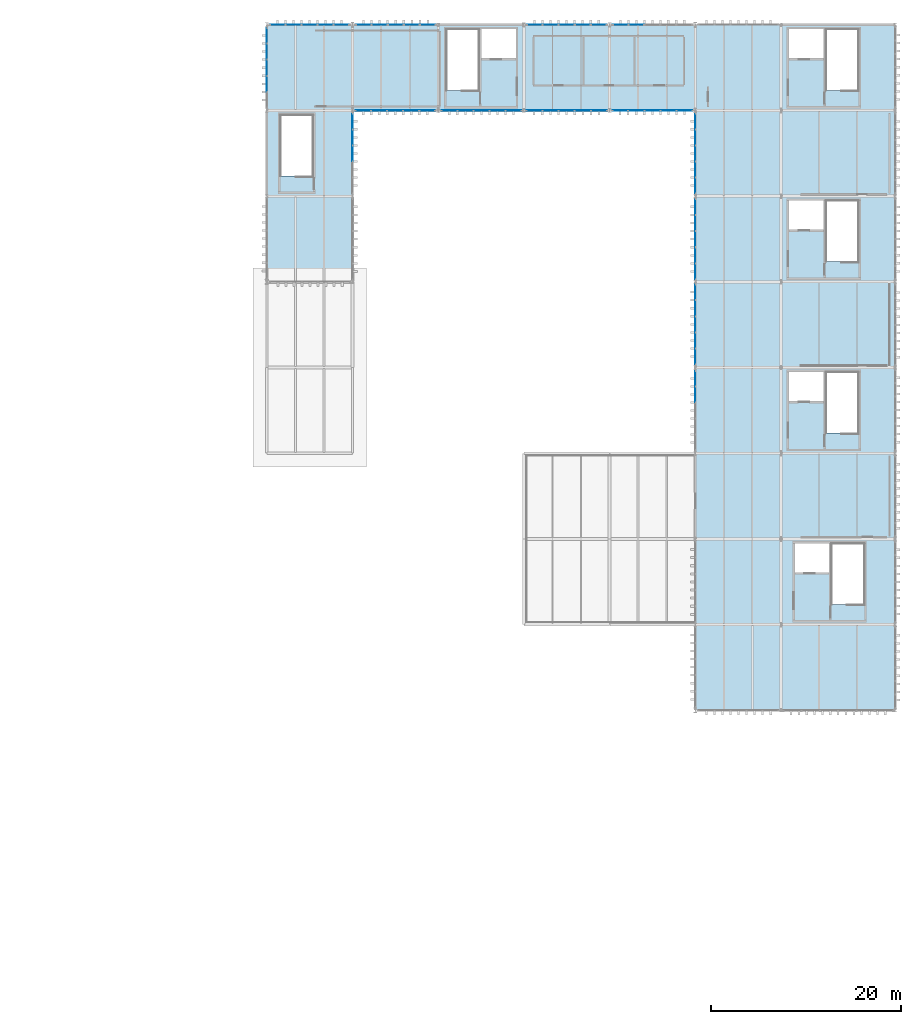
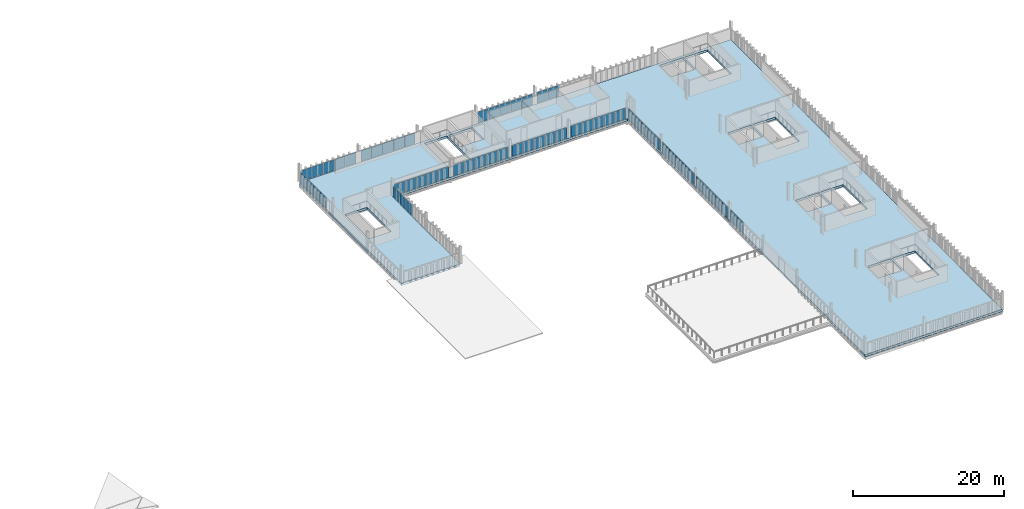
# One storey, part 50 of 58: 61 plates, 1 slab, 14 elements without a shape of their own.
"""IFC4 building model written with IfcOpenShell, lengths in metres."""

from ifc_helpers import new_model, si_unit, direction, frame, origin, origin_2d, place, context, subcontext, project, spatial, polyline, rectangle, outline, extrude, material, layer, layer_set, type_object, element, aggregate, save


model = new_model("IFC4")

# Units and contexts
model_context = context("Model", 3, precision=1e-05, world=origin(), true_north=direction((0.0, 1.0)))
body_context = subcontext(model_context, "Body", "Model", "MODEL_VIEW")
ifc_project = project(units=[si_unit("LENGTHUNIT", "METRE"), si_unit("AREAUNIT", "SQUARE_METRE"), si_unit("VOLUMEUNIT", "CUBIC_METRE"), si_unit("PLANEANGLEUNIT", "RADIAN"), si_unit("MASSUNIT", "GRAM", prefix="KILO")], contexts=[model_context])

# Site, building, storey
site_placement = place(None, origin())
site = spatial("IfcSite", under=ifc_project, at=site_placement, CompositionType="ELEMENT")
building_placement = place(site_placement, origin())
building = spatial("IfcBuilding", under=site, at=building_placement, Name="Barlavento Convention Centre", CompositionType="ELEMENT")
storey_placement = place(building_placement, frame((0.0, 0.0, 26.800048828125)))
storey = spatial("IfcBuildingStorey", under=building, at=storey_placement, Name="L05", CompositionType="ELEMENT", Elevation=26.800048828125)

# Curtain wall, plates
ifc_material_1 = material(Name="Powder-coated aluminium and Low-E glass", Category="aluminium")
ifc_layer_1 = layer(ifc_material_1, 0.18994140625)
ifc_layer_set_1 = layer_set([ifc_layer_1], Name="ARC-CW-CONF-L05")
curtain_wall_type = type_object("IfcCurtainWallType", Name="ARC-CW-CONF-L05", PredefinedType="NOTDEFINED", material=ifc_layer_set_1)
curtain_wall_1_placement = place(storey_placement, origin())
curtain_wall_1 = element("IfcCurtainWall", 1, at=curtain_wall_1_placement, inside=storey, type_object=curtain_wall_type, Name="L05 unitised curtain wall CW10", PredefinedType="NOTDEFINED")
ifc_material_2 = material(Name="Double-silver Low-E insulated glass", Category="glass")
ifc_layer_2 = layer(ifc_material_2, 0.028076171875)
ifc_layer_set_2 = layer_set([ifc_layer_2], Name="ARC-CWP-GLZ28")
plate_type = type_object("IfcPlateType", Name="ARC-CWP-GLZ28", PredefinedType="CURTAIN_PANEL", material=ifc_layer_set_2)
plate_1_placement = place(storey_placement, frame((171.0, 60.16845703125, 0.06005859375), z_axis=(0.0, 0.0, 1.0), x_axis=(0.0, 1.0, 0.0)))
plate_1 = element("IfcPlate", 2, at=plate_1_placement, type_object=plate_type, Name="CW10 panel 4.1", PredefinedType="CURTAIN_PANEL", context=body_context, shape_type="SweptSolid", body=[
    extrude(rectangle(XDim=1.62109375, YDim=0.028076171875, at=origin_2d()), origin(), (0.0, 0.0, 1.0), 1.780029296875),
])
plate_2_placement = place(storey_placement, frame((171.0, 61.83447265625, 0.06005859375), z_axis=(0.0, 0.0, 1.0), x_axis=(0.0, 1.0, 0.0)))
plate_2 = element("IfcPlate", 3, at=plate_2_placement, type_object=plate_type, Name="CW10 panel 5.1", PredefinedType="CURTAIN_PANEL", context=body_context, shape_type="SweptSolid", body=[
    extrude(rectangle(XDim=1.591064453125, YDim=0.028076171875, at=origin_2d()), origin(), (0.0, 0.0, 1.0), 1.780029296875),
])
aggregate(curtain_wall_1, [plate_1, plate_2])

curtain_wall_2_placement = place(storey_placement, origin())
curtain_wall_2 = element("IfcCurtainWall", 4, at=curtain_wall_2_placement, inside=storey, type_object=curtain_wall_type, Name="L05 unitised curtain wall CW10", PredefinedType="NOTDEFINED")
plate_3_placement = place(storey_placement, frame((171.0, 64.1708984375, 0.06005859375), z_axis=(0.0, 0.0, 1.0), x_axis=(0.0, 1.0, 0.0)))
plate_3 = element("IfcPlate", 5, at=plate_3_placement, type_object=plate_type, Name="CW10 panel 1.1", PredefinedType="CURTAIN_PANEL", context=body_context, shape_type="SweptSolid", body=[
    extrude(rectangle(XDim=1.60205078125, YDim=0.028076171875, at=origin_2d()), origin(), (0.0, 0.0, 1.0), 1.780029296875),
])
plate_4_placement = place(storey_placement, frame((171.0, 65.847900390625, 0.06005859375), z_axis=(0.0, 0.0, 1.0), x_axis=(0.0, 1.0, 0.0)))
plate_4 = element("IfcPlate", 6, at=plate_4_placement, type_object=plate_type, Name="CW10 panel 2.1", PredefinedType="CURTAIN_PANEL", context=body_context, shape_type="SweptSolid", body=[
    extrude(rectangle(XDim=1.632080078125, YDim=0.028076171875, at=origin_2d()), origin(), (0.0, 0.0, 1.0), 1.780029296875),
])
plate_5_placement = place(storey_placement, frame((171.0, 67.5400390625, 0.06005859375), z_axis=(0.0, 0.0, 1.0), x_axis=(0.0, 1.0, 0.0)))
plate_5 = element("IfcPlate", 7, at=plate_5_placement, type_object=plate_type, Name="CW10 panel 3.1", PredefinedType="CURTAIN_PANEL", context=body_context, shape_type="SweptSolid", body=[
    extrude(rectangle(XDim=1.632080078125, YDim=0.028076171875, at=origin_2d()), origin(), (0.0, 0.0, 1.0), 1.780029296875),
])
plate_6_placement = place(storey_placement, frame((171.0, 69.23193359375, 0.06005859375), z_axis=(0.0, 0.0, 1.0), x_axis=(0.0, 1.0, 0.0)))
plate_6 = element("IfcPlate", 8, at=plate_6_placement, type_object=plate_type, Name="CW10 panel 4.1", PredefinedType="CURTAIN_PANEL", context=body_context, shape_type="SweptSolid", body=[
    extrude(rectangle(XDim=1.632080078125, YDim=0.028076171875, at=origin_2d()), origin(), (0.0, 0.0, 1.0), 1.780029296875),
])
plate_7_placement = place(storey_placement, frame((171.0, 70.908935546875, 0.06005859375), z_axis=(0.0, 0.0, 1.0), x_axis=(0.0, 1.0, 0.0)))
plate_7 = element("IfcPlate", 9, at=plate_7_placement, type_object=plate_type, Name="CW10 panel 5.1", PredefinedType="CURTAIN_PANEL", context=body_context, shape_type="SweptSolid", body=[
    extrude(rectangle(XDim=1.60205078125, YDim=0.028076171875, at=origin_2d()), origin(), (0.0, 0.0, 1.0), 1.780029296875),
])
aggregate(curtain_wall_2, [plate_3, plate_4, plate_5, plate_6, plate_7])

curtain_wall_3_placement = place(storey_placement, origin())
curtain_wall_3 = element("IfcCurtainWall", 10, at=curtain_wall_3_placement, inside=storey, type_object=curtain_wall_type, Name="L05 unitised curtain wall CW10", PredefinedType="NOTDEFINED")
plate_8_placement = place(storey_placement, frame((171.0, 73.095947265625, 0.06005859375), z_axis=(0.0, 0.0, 1.0), x_axis=(0.0, 1.0, 0.0)))
plate_8 = element("IfcPlate", 11, at=plate_8_placement, type_object=plate_type, Name="CW10 panel 1.1", PredefinedType="CURTAIN_PANEL", context=body_context, shape_type="SweptSolid", body=[
    extrude(rectangle(XDim=1.612060546875, YDim=0.028076171875, at=origin_2d()), origin(), (0.0, 0.0, 1.0), 1.780029296875),
])
plate_9_placement = place(storey_placement, frame((171.0, 74.782958984375, 0.06005859375), z_axis=(0.0, 0.0, 1.0), x_axis=(0.0, 1.0, 0.0)))
plate_9 = element("IfcPlate", 12, at=plate_9_placement, type_object=plate_type, Name="CW10 panel 2.1", PredefinedType="CURTAIN_PANEL", context=body_context, shape_type="SweptSolid", body=[
    extrude(rectangle(XDim=1.64208984375, YDim=0.028076171875, at=origin_2d()), origin(), (0.0, 0.0, 1.0), 1.780029296875),
])
plate_10_placement = place(storey_placement, frame((171.0, 76.485107421875, 0.06005859375), z_axis=(0.0, 0.0, 1.0), x_axis=(0.0, 1.0, 0.0)))
plate_10 = element("IfcPlate", 13, at=plate_10_placement, type_object=plate_type, Name="CW10 panel 3.1", PredefinedType="CURTAIN_PANEL", context=body_context, shape_type="SweptSolid", body=[
    extrude(rectangle(XDim=1.64208984375, YDim=0.028076171875, at=origin_2d()), origin(), (0.0, 0.0, 1.0), 1.780029296875),
])
plate_11_placement = place(storey_placement, frame((171.0, 78.18701171875, 0.06005859375), z_axis=(0.0, 0.0, 1.0), x_axis=(0.0, 1.0, 0.0)))
plate_11 = element("IfcPlate", 14, at=plate_11_placement, type_object=plate_type, Name="CW10 panel 4.1", PredefinedType="CURTAIN_PANEL", context=body_context, shape_type="SweptSolid", body=[
    extrude(rectangle(XDim=1.64208984375, YDim=0.028076171875, at=origin_2d()), origin(), (0.0, 0.0, 1.0), 1.780029296875),
])
plate_12_placement = place(storey_placement, frame((171.0, 79.8740234375, 0.06005859375), z_axis=(0.0, 0.0, 1.0), x_axis=(0.0, 1.0, 0.0)))
plate_12 = element("IfcPlate", 15, at=plate_12_placement, type_object=plate_type, Name="CW10 panel 5.1", PredefinedType="CURTAIN_PANEL", context=body_context, shape_type="SweptSolid", body=[
    extrude(rectangle(XDim=1.612060546875, YDim=0.028076171875, at=origin_2d()), origin(), (0.0, 0.0, 1.0), 1.780029296875),
])
aggregate(curtain_wall_3, [plate_8, plate_9, plate_10, plate_11, plate_12])

curtain_wall_4_placement = place(storey_placement, origin())
curtain_wall_4 = element("IfcCurtainWall", 16, at=curtain_wall_4_placement, inside=storey, type_object=curtain_wall_type, Name="L05 unitised curtain wall CW10", PredefinedType="NOTDEFINED")
plate_13_placement = place(storey_placement, frame((171.0, 82.12060546875, 0.06005859375), z_axis=(0.0, 0.0, 1.0), x_axis=(0.0, 1.0, 0.0)))
plate_13 = element("IfcPlate", 17, at=plate_13_placement, type_object=plate_type, Name="CW10 panel 1.1", PredefinedType="CURTAIN_PANEL", context=body_context, shape_type="SweptSolid", body=[
    extrude(rectangle(XDim=1.60107421875, YDim=0.028076171875, at=origin_2d()), origin(), (0.0, 0.0, 1.0), 1.780029296875),
])
plate_14_placement = place(storey_placement, frame((171.0, 83.79638671875, 0.06005859375), z_axis=(0.0, 0.0, 1.0), x_axis=(0.0, 1.0, 0.0)))
plate_14 = element("IfcPlate", 18, at=plate_14_placement, type_object=plate_type, Name="CW10 panel 2.1", PredefinedType="CURTAIN_PANEL", context=body_context, shape_type="SweptSolid", body=[
    extrude(rectangle(XDim=1.631103515625, YDim=0.028076171875, at=origin_2d()), origin(), (0.0, 0.0, 1.0), 1.780029296875),
])
plate_15_placement = place(storey_placement, frame((171.0, 85.487548828125, 0.06005859375), z_axis=(0.0, 0.0, 1.0), x_axis=(0.0, 1.0, 0.0)))
plate_15 = element("IfcPlate", 19, at=plate_15_placement, type_object=plate_type, Name="CW10 panel 3.1", PredefinedType="CURTAIN_PANEL", context=body_context, shape_type="SweptSolid", body=[
    extrude(rectangle(XDim=1.631103515625, YDim=0.028076171875, at=origin_2d()), origin(), (0.0, 0.0, 1.0), 1.780029296875),
])
plate_16_placement = place(storey_placement, frame((171.0, 87.178466796875, 0.06005859375), z_axis=(0.0, 0.0, 1.0), x_axis=(0.0, 1.0, 0.0)))
plate_16 = element("IfcPlate", 20, at=plate_16_placement, type_object=plate_type, Name="CW10 panel 4.1", PredefinedType="CURTAIN_PANEL", context=body_context, shape_type="SweptSolid", body=[
    extrude(rectangle(XDim=1.631103515625, YDim=0.028076171875, at=origin_2d()), origin(), (0.0, 0.0, 1.0), 1.780029296875),
])
plate_17_placement = place(storey_placement, frame((171.0, 88.8544921875, 0.06005859375), z_axis=(0.0, 0.0, 1.0), x_axis=(0.0, 1.0, 0.0)))
plate_17 = element("IfcPlate", 21, at=plate_17_placement, type_object=plate_type, Name="CW10 panel 5.1", PredefinedType="CURTAIN_PANEL", context=body_context, shape_type="SweptSolid", body=[
    extrude(rectangle(XDim=1.60107421875, YDim=0.028076171875, at=origin_2d()), origin(), (0.0, 0.0, 1.0), 1.780029296875),
])
aggregate(curtain_wall_4, [plate_13, plate_14, plate_15, plate_16, plate_17])

curtain_wall_5_placement = place(storey_placement, origin())
curtain_wall_5 = element("IfcCurtainWall", 22, at=curtain_wall_5_placement, inside=storey, type_object=curtain_wall_type, Name="L05 unitised curtain wall CW10", PredefinedType="NOTDEFINED")
plate_18_placement = place(storey_placement, frame((136.140380859375, 90.0, 0.06005859375), z_axis=(0.0, 0.0, 1.0), x_axis=(1.0, 0.0, 0.0)))
plate_18 = element("IfcPlate", 23, at=plate_18_placement, type_object=plate_type, Name="CW10 panel 1.1", PredefinedType="CURTAIN_PANEL", context=body_context, shape_type="SweptSolid", body=[
    extrude(rectangle(XDim=1.591064453125, YDim=0.028076171875, at=origin_2d()), origin(), (0.0, 0.0, 1.0), 1.780029296875),
])
plate_19_placement = place(storey_placement, frame((137.806396484375, 90.0, 0.06005859375), z_axis=(0.0, 0.0, 1.0), x_axis=(1.0, 0.0, 0.0)))
plate_19 = element("IfcPlate", 24, at=plate_19_placement, type_object=plate_type, Name="CW10 panel 2.1", PredefinedType="CURTAIN_PANEL", context=body_context, shape_type="SweptSolid", body=[
    extrude(rectangle(XDim=1.62109375, YDim=0.028076171875, at=origin_2d()), origin(), (0.0, 0.0, 1.0), 1.780029296875),
])
plate_20_placement = place(storey_placement, frame((139.487548828125, 90.0, 0.06005859375), z_axis=(0.0, 0.0, 1.0), x_axis=(1.0, 0.0, 0.0)))
plate_20 = element("IfcPlate", 25, at=plate_20_placement, type_object=plate_type, Name="CW10 panel 3.1", PredefinedType="CURTAIN_PANEL", context=body_context, shape_type="SweptSolid", body=[
    extrude(rectangle(XDim=1.62109375, YDim=0.028076171875, at=origin_2d()), origin(), (0.0, 0.0, 1.0), 1.780029296875),
])
plate_21_placement = place(storey_placement, frame((141.16845703125, 90.0, 0.06005859375), z_axis=(0.0, 0.0, 1.0), x_axis=(1.0, 0.0, 0.0)))
plate_21 = element("IfcPlate", 26, at=plate_21_placement, type_object=plate_type, Name="CW10 panel 4.1", PredefinedType="CURTAIN_PANEL", context=body_context, shape_type="SweptSolid", body=[
    extrude(rectangle(XDim=1.62109375, YDim=0.028076171875, at=origin_2d()), origin(), (0.0, 0.0, 1.0), 1.780029296875),
])
plate_22_placement = place(storey_placement, frame((142.83447265625, 90.0, 0.06005859375), z_axis=(0.0, 0.0, 1.0), x_axis=(1.0, 0.0, 0.0)))
plate_22 = element("IfcPlate", 27, at=plate_22_placement, type_object=plate_type, Name="CW10 panel 5.1", PredefinedType="CURTAIN_PANEL", context=body_context, shape_type="SweptSolid", body=[
    extrude(rectangle(XDim=1.591064453125, YDim=0.028076171875, at=origin_2d()), origin(), (0.0, 0.0, 1.0), 1.780029296875),
])
aggregate(curtain_wall_5, [plate_18, plate_19, plate_20, plate_21, plate_22])

curtain_wall_6_placement = place(storey_placement, origin())
curtain_wall_6 = element("IfcCurtainWall", 28, at=curtain_wall_6_placement, inside=storey, type_object=curtain_wall_type, Name="L05 unitised curtain wall CW10", PredefinedType="NOTDEFINED")
plate_23_placement = place(storey_placement, frame((145.1708984375, 90.0, 0.06005859375), z_axis=(0.0, 0.0, 1.0), x_axis=(1.0, 0.0, 0.0)))
plate_23 = element("IfcPlate", 29, at=plate_23_placement, type_object=plate_type, Name="CW10 panel 1.1", PredefinedType="CURTAIN_PANEL", context=body_context, shape_type="SweptSolid", body=[
    extrude(rectangle(XDim=1.60205078125, YDim=0.028076171875, at=origin_2d()), origin(), (0.0, 0.0, 1.0), 1.780029296875),
])
plate_24_placement = place(storey_placement, frame((146.847900390625, 90.0, 0.06005859375), z_axis=(0.0, 0.0, 1.0), x_axis=(1.0, 0.0, 0.0)))
plate_24 = element("IfcPlate", 30, at=plate_24_placement, type_object=plate_type, Name="CW10 panel 2.1", PredefinedType="CURTAIN_PANEL", context=body_context, shape_type="SweptSolid", body=[
    extrude(rectangle(XDim=1.632080078125, YDim=0.028076171875, at=origin_2d()), origin(), (0.0, 0.0, 1.0), 1.780029296875),
])
plate_25_placement = place(storey_placement, frame((148.5400390625, 90.0, 0.06005859375), z_axis=(0.0, 0.0, 1.0), x_axis=(1.0, 0.0, 0.0)))
plate_25 = element("IfcPlate", 31, at=plate_25_placement, type_object=plate_type, Name="CW10 panel 3.1", PredefinedType="CURTAIN_PANEL", context=body_context, shape_type="SweptSolid", body=[
    extrude(rectangle(XDim=1.632080078125, YDim=0.028076171875, at=origin_2d()), origin(), (0.0, 0.0, 1.0), 1.780029296875),
])
plate_26_placement = place(storey_placement, frame((150.23193359375, 90.0, 0.06005859375), z_axis=(0.0, 0.0, 1.0), x_axis=(1.0, 0.0, 0.0)))
plate_26 = element("IfcPlate", 32, at=plate_26_placement, type_object=plate_type, Name="CW10 panel 4.1", PredefinedType="CURTAIN_PANEL", context=body_context, shape_type="SweptSolid", body=[
    extrude(rectangle(XDim=1.632080078125, YDim=0.028076171875, at=origin_2d()), origin(), (0.0, 0.0, 1.0), 1.780029296875),
])
plate_27_placement = place(storey_placement, frame((151.908935546875, 90.0, 0.06005859375), z_axis=(0.0, 0.0, 1.0), x_axis=(1.0, 0.0, 0.0)))
plate_27 = element("IfcPlate", 33, at=plate_27_placement, type_object=plate_type, Name="CW10 panel 5.1", PredefinedType="CURTAIN_PANEL", context=body_context, shape_type="SweptSolid", body=[
    extrude(rectangle(XDim=1.60205078125, YDim=0.028076171875, at=origin_2d()), origin(), (0.0, 0.0, 1.0), 1.780029296875),
])
aggregate(curtain_wall_6, [plate_23, plate_24, plate_25, plate_26, plate_27])

curtain_wall_7_placement = place(storey_placement, origin())
curtain_wall_7 = element("IfcCurtainWall", 34, at=curtain_wall_7_placement, inside=storey, type_object=curtain_wall_type, Name="L05 unitised curtain wall CW10", PredefinedType="NOTDEFINED")
plate_28_placement = place(storey_placement, frame((154.095947265625, 90.0, 0.06005859375), z_axis=(0.0, 0.0, 1.0), x_axis=(1.0, 0.0, 0.0)))
plate_28 = element("IfcPlate", 35, at=plate_28_placement, type_object=plate_type, Name="CW10 panel 1.1", PredefinedType="CURTAIN_PANEL", context=body_context, shape_type="SweptSolid", body=[
    extrude(rectangle(XDim=1.612060546875, YDim=0.028076171875, at=origin_2d()), origin(), (0.0, 0.0, 1.0), 1.780029296875),
])
plate_29_placement = place(storey_placement, frame((155.782958984375, 90.0, 0.06005859375), z_axis=(0.0, 0.0, 1.0), x_axis=(1.0, 0.0, 0.0)))
plate_29 = element("IfcPlate", 36, at=plate_29_placement, type_object=plate_type, Name="CW10 panel 2.1", PredefinedType="CURTAIN_PANEL", context=body_context, shape_type="SweptSolid", body=[
    extrude(rectangle(XDim=1.64208984375, YDim=0.028076171875, at=origin_2d()), origin(), (0.0, 0.0, 1.0), 1.780029296875),
])
plate_30_placement = place(storey_placement, frame((157.485107421875, 90.0, 0.06005859375), z_axis=(0.0, 0.0, 1.0), x_axis=(1.0, 0.0, 0.0)))
plate_30 = element("IfcPlate", 37, at=plate_30_placement, type_object=plate_type, Name="CW10 panel 3.1", PredefinedType="CURTAIN_PANEL", context=body_context, shape_type="SweptSolid", body=[
    extrude(rectangle(XDim=1.64208984375, YDim=0.028076171875, at=origin_2d()), origin(), (0.0, 0.0, 1.0), 1.780029296875),
])
plate_31_placement = place(storey_placement, frame((159.18701171875, 90.0, 0.06005859375), z_axis=(0.0, 0.0, 1.0), x_axis=(1.0, 0.0, 0.0)))
plate_31 = element("IfcPlate", 38, at=plate_31_placement, type_object=plate_type, Name="CW10 panel 4.1", PredefinedType="CURTAIN_PANEL", context=body_context, shape_type="SweptSolid", body=[
    extrude(rectangle(XDim=1.64208984375, YDim=0.028076171875, at=origin_2d()), origin(), (0.0, 0.0, 1.0), 1.780029296875),
])
plate_32_placement = place(storey_placement, frame((160.8740234375, 90.0, 0.06005859375), z_axis=(0.0, 0.0, 1.0), x_axis=(1.0, 0.0, 0.0)))
plate_32 = element("IfcPlate", 39, at=plate_32_placement, type_object=plate_type, Name="CW10 panel 5.1", PredefinedType="CURTAIN_PANEL", context=body_context, shape_type="SweptSolid", body=[
    extrude(rectangle(XDim=1.612060546875, YDim=0.028076171875, at=origin_2d()), origin(), (0.0, 0.0, 1.0), 1.780029296875),
])
aggregate(curtain_wall_7, [plate_28, plate_29, plate_30, plate_31, plate_32])

curtain_wall_8_placement = place(storey_placement, origin())
curtain_wall_8 = element("IfcCurtainWall", 40, at=curtain_wall_8_placement, inside=storey, type_object=curtain_wall_type, Name="L05 unitised curtain wall CW10", PredefinedType="NOTDEFINED")
plate_33_placement = place(storey_placement, frame((163.12060546875, 90.0, 0.06005859375), z_axis=(0.0, 0.0, 1.0), x_axis=(1.0, 0.0, 0.0)))
plate_33 = element("IfcPlate", 41, at=plate_33_placement, type_object=plate_type, Name="CW10 panel 1.1", PredefinedType="CURTAIN_PANEL", context=body_context, shape_type="SweptSolid", body=[
    extrude(rectangle(XDim=1.60107421875, YDim=0.028076171875, at=origin_2d()), origin(), (0.0, 0.0, 1.0), 1.780029296875),
])
plate_34_placement = place(storey_placement, frame((164.79638671875, 90.0, 0.06005859375), z_axis=(0.0, 0.0, 1.0), x_axis=(1.0, 0.0, 0.0)))
plate_34 = element("IfcPlate", 42, at=plate_34_placement, type_object=plate_type, Name="CW10 panel 2.1", PredefinedType="CURTAIN_PANEL", context=body_context, shape_type="SweptSolid", body=[
    extrude(rectangle(XDim=1.631103515625, YDim=0.028076171875, at=origin_2d()), origin(), (0.0, 0.0, 1.0), 1.780029296875),
])
plate_35_placement = place(storey_placement, frame((166.487548828125, 90.0, 0.06005859375), z_axis=(0.0, 0.0, 1.0), x_axis=(1.0, 0.0, 0.0)))
plate_35 = element("IfcPlate", 43, at=plate_35_placement, type_object=plate_type, Name="CW10 panel 3.1", PredefinedType="CURTAIN_PANEL", context=body_context, shape_type="SweptSolid", body=[
    extrude(rectangle(XDim=1.631103515625, YDim=0.028076171875, at=origin_2d()), origin(), (0.0, 0.0, 1.0), 1.780029296875),
])
plate_36_placement = place(storey_placement, frame((168.178466796875, 90.0, 0.06005859375), z_axis=(0.0, 0.0, 1.0), x_axis=(1.0, 0.0, 0.0)))
plate_36 = element("IfcPlate", 44, at=plate_36_placement, type_object=plate_type, Name="CW10 panel 4.1", PredefinedType="CURTAIN_PANEL", context=body_context, shape_type="SweptSolid", body=[
    extrude(rectangle(XDim=1.631103515625, YDim=0.028076171875, at=origin_2d()), origin(), (0.0, 0.0, 1.0), 1.780029296875),
])
plate_37_placement = place(storey_placement, frame((169.8544921875, 90.0, 0.06005859375), z_axis=(0.0, 0.0, 1.0), x_axis=(1.0, 0.0, 0.0)))
plate_37 = element("IfcPlate", 45, at=plate_37_placement, type_object=plate_type, Name="CW10 panel 5.1", PredefinedType="CURTAIN_PANEL", context=body_context, shape_type="SweptSolid", body=[
    extrude(rectangle(XDim=1.60107421875, YDim=0.028076171875, at=origin_2d()), origin(), (0.0, 0.0, 1.0), 1.780029296875),
])
aggregate(curtain_wall_8, [plate_33, plate_34, plate_35, plate_36, plate_37])

curtain_wall_9_placement = place(storey_placement, origin())
curtain_wall_9 = element("IfcCurtainWall", 46, at=curtain_wall_9_placement, inside=storey, type_object=curtain_wall_type, Name="L05 unitised curtain wall CW10", PredefinedType="NOTDEFINED")
plate_38_placement = place(storey_placement, frame((135.0, 85.487548828125, 0.06005859375), z_axis=(0.0, 0.0, 1.0), x_axis=(0.0, 1.0, 0.0)))
plate_38 = element("IfcPlate", 47, at=plate_38_placement, type_object=plate_type, Name="CW10 panel 3.1", PredefinedType="CURTAIN_PANEL", context=body_context, shape_type="SweptSolid", body=[
    extrude(rectangle(XDim=1.631103515625, YDim=0.028076171875, at=origin_2d()), origin(), (0.0, 0.0, 1.0), 1.780029296875),
])
plate_39_placement = place(storey_placement, frame((135.0, 87.178466796875, 0.06005859375), z_axis=(0.0, 0.0, 1.0), x_axis=(0.0, 1.0, 0.0)))
plate_39 = element("IfcPlate", 48, at=plate_39_placement, type_object=plate_type, Name="CW10 panel 4.1", PredefinedType="CURTAIN_PANEL", context=body_context, shape_type="SweptSolid", body=[
    extrude(rectangle(XDim=1.631103515625, YDim=0.028076171875, at=origin_2d()), origin(), (0.0, 0.0, 1.0), 1.780029296875),
])
plate_40_placement = place(storey_placement, frame((135.0, 88.8544921875, 0.06005859375), z_axis=(0.0, 0.0, 1.0), x_axis=(0.0, 1.0, 0.0)))
plate_40 = element("IfcPlate", 49, at=plate_40_placement, type_object=plate_type, Name="CW10 panel 5.1", PredefinedType="CURTAIN_PANEL", context=body_context, shape_type="SweptSolid", body=[
    extrude(rectangle(XDim=1.60107421875, YDim=0.028076171875, at=origin_2d()), origin(), (0.0, 0.0, 1.0), 1.780029296875),
])
aggregate(curtain_wall_9, [plate_38, plate_39, plate_40])

curtain_wall_10_placement = place(storey_placement, origin())
curtain_wall_10 = element("IfcCurtainWall", 50, at=curtain_wall_10_placement, inside=storey, type_object=curtain_wall_type, Name="L05 unitised curtain wall CW10", PredefinedType="NOTDEFINED")
plate_41_placement = place(storey_placement, frame((126.0, 92.79638671875, 0.06005859375), z_axis=(0.0, 0.0, 1.0), x_axis=(0.0, 1.0, 0.0)))
plate_41 = element("IfcPlate", 51, at=plate_41_placement, type_object=plate_type, Name="CW10 panel 2.1", PredefinedType="CURTAIN_PANEL", context=body_context, shape_type="SweptSolid", body=[
    extrude(rectangle(XDim=1.631103515625, YDim=0.028076171875, at=origin_2d()), origin(), (0.0, 0.0, 1.0), 1.780029296875),
])
plate_42_placement = place(storey_placement, frame((126.0, 94.487548828125, 0.06005859375), z_axis=(0.0, 0.0, 1.0), x_axis=(0.0, 1.0, 0.0)))
plate_42 = element("IfcPlate", 52, at=plate_42_placement, type_object=plate_type, Name="CW10 panel 3.1", PredefinedType="CURTAIN_PANEL", context=body_context, shape_type="SweptSolid", body=[
    extrude(rectangle(XDim=1.631103515625, YDim=0.028076171875, at=origin_2d()), origin(), (0.0, 0.0, 1.0), 1.780029296875),
])
plate_43_placement = place(storey_placement, frame((126.0, 96.178466796875, 0.06005859375), z_axis=(0.0, 0.0, 1.0), x_axis=(0.0, 1.0, 0.0)))
plate_43 = element("IfcPlate", 53, at=plate_43_placement, type_object=plate_type, Name="CW10 panel 4.1", PredefinedType="CURTAIN_PANEL", context=body_context, shape_type="SweptSolid", body=[
    extrude(rectangle(XDim=1.631103515625, YDim=0.028076171875, at=origin_2d()), origin(), (0.0, 0.0, 1.0), 1.780029296875),
])
plate_44_placement = place(storey_placement, frame((126.0, 97.8544921875, 0.06005859375), z_axis=(0.0, 0.0, 1.0), x_axis=(0.0, 1.0, 0.0)))
plate_44 = element("IfcPlate", 54, at=plate_44_placement, type_object=plate_type, Name="CW10 panel 5.1", PredefinedType="CURTAIN_PANEL", context=body_context, shape_type="SweptSolid", body=[
    extrude(rectangle(XDim=1.60107421875, YDim=0.028076171875, at=origin_2d()), origin(), (0.0, 0.0, 1.0), 1.780029296875),
])
aggregate(curtain_wall_10, [plate_41, plate_42, plate_43, plate_44])

curtain_wall_11_placement = place(storey_placement, origin())
curtain_wall_11 = element("IfcCurtainWall", 55, at=curtain_wall_11_placement, inside=storey, type_object=curtain_wall_type, Name="L05 unitised curtain wall CW10", PredefinedType="NOTDEFINED")
plate_45_placement = place(storey_placement, frame((127.1484375, 99.0, 0.06005859375), z_axis=(0.0, 0.0, 1.0), x_axis=(1.0, 0.0, 0.0)))
plate_45 = element("IfcPlate", 56, at=plate_45_placement, type_object=plate_type, Name="CW10 panel 1.1", PredefinedType="CURTAIN_PANEL", context=body_context, shape_type="SweptSolid", body=[
    extrude(rectangle(XDim=1.5869140625, YDim=0.028076171875, at=origin_2d()), origin(), (0.0, 0.0, 1.0), 1.780029296875),
])
plate_46_placement = place(storey_placement, frame((128.810546875, 99.0, 0.06005859375), z_axis=(0.0, 0.0, 1.0), x_axis=(1.0, 0.0, 0.0)))
plate_46 = element("IfcPlate", 57, at=plate_46_placement, type_object=plate_type, Name="CW10 panel 2.1", PredefinedType="CURTAIN_PANEL", context=body_context, shape_type="SweptSolid", body=[
    extrude(rectangle(XDim=1.616943359375, YDim=0.028076171875, at=origin_2d()), origin(), (0.0, 0.0, 1.0), 1.780029296875),
])
plate_47_placement = place(storey_placement, frame((130.487548828125, 99.0, 0.06005859375), z_axis=(0.0, 0.0, 1.0), x_axis=(1.0, 0.0, 0.0)))
plate_47 = element("IfcPlate", 58, at=plate_47_placement, type_object=plate_type, Name="CW10 panel 3.1", PredefinedType="CURTAIN_PANEL", context=body_context, shape_type="SweptSolid", body=[
    extrude(rectangle(XDim=1.616943359375, YDim=0.028076171875, at=origin_2d()), origin(), (0.0, 0.0, 1.0), 1.780029296875),
])
plate_48_placement = place(storey_placement, frame((132.16455078125, 99.0, 0.06005859375), z_axis=(0.0, 0.0, 1.0), x_axis=(1.0, 0.0, 0.0)))
plate_48 = element("IfcPlate", 59, at=plate_48_placement, type_object=plate_type, Name="CW10 panel 4.1", PredefinedType="CURTAIN_PANEL", context=body_context, shape_type="SweptSolid", body=[
    extrude(rectangle(XDim=1.616943359375, YDim=0.028076171875, at=origin_2d()), origin(), (0.0, 0.0, 1.0), 1.780029296875),
])
plate_49_placement = place(storey_placement, frame((133.826416015625, 99.0, 0.06005859375), z_axis=(0.0, 0.0, 1.0), x_axis=(1.0, 0.0, 0.0)))
plate_49 = element("IfcPlate", 60, at=plate_49_placement, type_object=plate_type, Name="CW10 panel 5.1", PredefinedType="CURTAIN_PANEL", context=body_context, shape_type="SweptSolid", body=[
    extrude(rectangle(XDim=1.5869140625, YDim=0.028076171875, at=origin_2d()), origin(), (0.0, 0.0, 1.0), 1.780029296875),
])
aggregate(curtain_wall_11, [plate_45, plate_46, plate_47, plate_48, plate_49])

curtain_wall_12_placement = place(storey_placement, origin())
curtain_wall_12 = element("IfcCurtainWall", 61, at=curtain_wall_12_placement, inside=storey, type_object=curtain_wall_type, Name="L05 unitised curtain wall CW10", PredefinedType="NOTDEFINED")
plate_50_placement = place(storey_placement, frame((136.178955078125, 99.0, 0.06005859375), z_axis=(0.0, 0.0, 1.0), x_axis=(1.0, 0.0, 0.0)))
plate_50 = element("IfcPlate", 62, at=plate_50_placement, type_object=plate_type, Name="CW10 panel 1.1", PredefinedType="CURTAIN_PANEL", context=body_context, shape_type="SweptSolid", body=[
    extrude(rectangle(XDim=1.597900390625, YDim=0.028076171875, at=origin_2d()), origin(), (0.0, 0.0, 1.0), 1.780029296875),
])
plate_51_placement = place(storey_placement, frame((137.85205078125, 99.0, 0.06005859375), z_axis=(0.0, 0.0, 1.0), x_axis=(1.0, 0.0, 0.0)))
plate_51 = element("IfcPlate", 63, at=plate_51_placement, type_object=plate_type, Name="CW10 panel 2.1", PredefinedType="CURTAIN_PANEL", context=body_context, shape_type="SweptSolid", body=[
    extrude(rectangle(XDim=1.6279296875, YDim=0.028076171875, at=origin_2d()), origin(), (0.0, 0.0, 1.0), 1.780029296875),
])
plate_52_placement = place(storey_placement, frame((139.5400390625, 99.0, 0.06005859375), z_axis=(0.0, 0.0, 1.0), x_axis=(1.0, 0.0, 0.0)))
plate_52 = element("IfcPlate", 64, at=plate_52_placement, type_object=plate_type, Name="CW10 panel 3.1", PredefinedType="CURTAIN_PANEL", context=body_context, shape_type="SweptSolid", body=[
    extrude(rectangle(XDim=1.6279296875, YDim=0.028076171875, at=origin_2d()), origin(), (0.0, 0.0, 1.0), 1.780029296875),
])
plate_53_placement = place(storey_placement, frame((141.22802734375, 99.0, 0.06005859375), z_axis=(0.0, 0.0, 1.0), x_axis=(1.0, 0.0, 0.0)))
plate_53 = element("IfcPlate", 65, at=plate_53_placement, type_object=plate_type, Name="CW10 panel 4.1", PredefinedType="CURTAIN_PANEL", context=body_context, shape_type="SweptSolid", body=[
    extrude(rectangle(XDim=1.6279296875, YDim=0.028076171875, at=origin_2d()), origin(), (0.0, 0.0, 1.0), 1.780029296875),
])
plate_54_placement = place(storey_placement, frame((142.90087890625, 99.0, 0.06005859375), z_axis=(0.0, 0.0, 1.0), x_axis=(1.0, 0.0, 0.0)))
plate_54 = element("IfcPlate", 66, at=plate_54_placement, type_object=plate_type, Name="CW10 panel 5.1", PredefinedType="CURTAIN_PANEL", context=body_context, shape_type="SweptSolid", body=[
    extrude(rectangle(XDim=1.597900390625, YDim=0.028076171875, at=origin_2d()), origin(), (0.0, 0.0, 1.0), 1.780029296875),
])
aggregate(curtain_wall_12, [plate_50, plate_51, plate_52, plate_53, plate_54])

curtain_wall_13_placement = place(storey_placement, origin())
curtain_wall_13 = element("IfcCurtainWall", 67, at=curtain_wall_13_placement, inside=storey, type_object=curtain_wall_type, Name="L05 unitised curtain wall CW10", PredefinedType="NOTDEFINED")
plate_55_placement = place(storey_placement, frame((154.12841796875, 99.0, 0.06005859375), z_axis=(0.0, 0.0, 1.0), x_axis=(1.0, 0.0, 0.0)))
plate_55 = element("IfcPlate", 68, at=plate_55_placement, type_object=plate_type, Name="CW10 panel 1.1", PredefinedType="CURTAIN_PANEL", context=body_context, shape_type="SweptSolid", body=[
    extrude(rectangle(XDim=1.596923828125, YDim=0.028076171875, at=origin_2d()), origin(), (0.0, 0.0, 1.0), 1.780029296875),
])
plate_56_placement = place(storey_placement, frame((155.800537109375, 99.0, 0.06005859375), z_axis=(0.0, 0.0, 1.0), x_axis=(1.0, 0.0, 0.0)))
plate_56 = element("IfcPlate", 69, at=plate_56_placement, type_object=plate_type, Name="CW10 panel 2.1", PredefinedType="CURTAIN_PANEL", context=body_context, shape_type="SweptSolid", body=[
    extrude(rectangle(XDim=1.626953125, YDim=0.028076171875, at=origin_2d()), origin(), (0.0, 0.0, 1.0), 1.780029296875),
])
plate_57_placement = place(storey_placement, frame((157.487548828125, 99.0, 0.06005859375), z_axis=(0.0, 0.0, 1.0), x_axis=(1.0, 0.0, 0.0)))
plate_57 = element("IfcPlate", 70, at=plate_57_placement, type_object=plate_type, Name="CW10 panel 3.1", PredefinedType="CURTAIN_PANEL", context=body_context, shape_type="SweptSolid", body=[
    extrude(rectangle(XDim=1.626953125, YDim=0.028076171875, at=origin_2d()), origin(), (0.0, 0.0, 1.0), 1.780029296875),
])
plate_58_placement = place(storey_placement, frame((159.174560546875, 99.0, 0.06005859375), z_axis=(0.0, 0.0, 1.0), x_axis=(1.0, 0.0, 0.0)))
plate_58 = element("IfcPlate", 71, at=plate_58_placement, type_object=plate_type, Name="CW10 panel 4.1", PredefinedType="CURTAIN_PANEL", context=body_context, shape_type="SweptSolid", body=[
    extrude(rectangle(XDim=1.626953125, YDim=0.028076171875, at=origin_2d()), origin(), (0.0, 0.0, 1.0), 1.780029296875),
])
plate_59_placement = place(storey_placement, frame((160.846435546875, 99.0, 0.06005859375), z_axis=(0.0, 0.0, 1.0), x_axis=(1.0, 0.0, 0.0)))
plate_59 = element("IfcPlate", 72, at=plate_59_placement, type_object=plate_type, Name="CW10 panel 5.1", PredefinedType="CURTAIN_PANEL", context=body_context, shape_type="SweptSolid", body=[
    extrude(rectangle(XDim=1.596923828125, YDim=0.028076171875, at=origin_2d()), origin(), (0.0, 0.0, 1.0), 1.780029296875),
])
aggregate(curtain_wall_13, [plate_55, plate_56, plate_57, plate_58, plate_59])

curtain_wall_14_placement = place(storey_placement, origin())
curtain_wall_14 = element("IfcCurtainWall", 73, at=curtain_wall_14_placement, inside=storey, type_object=curtain_wall_type, Name="L05 unitised curtain wall CW10", PredefinedType="NOTDEFINED")
plate_60_placement = place(storey_placement, frame((163.1484375, 99.0, 0.06005859375), z_axis=(0.0, 0.0, 1.0), x_axis=(1.0, 0.0, 0.0)))
plate_60 = element("IfcPlate", 74, at=plate_60_placement, type_object=plate_type, Name="CW10 panel 1.1", PredefinedType="CURTAIN_PANEL", context=body_context, shape_type="SweptSolid", body=[
    extrude(rectangle(XDim=1.5869140625, YDim=0.028076171875, at=origin_2d()), origin(), (0.0, 0.0, 1.0), 1.780029296875),
])
plate_61_placement = place(storey_placement, frame((164.810546875, 99.0, 0.06005859375), z_axis=(0.0, 0.0, 1.0), x_axis=(1.0, 0.0, 0.0)))
plate_61 = element("IfcPlate", 75, at=plate_61_placement, type_object=plate_type, Name="CW10 panel 2.1", PredefinedType="CURTAIN_PANEL", context=body_context, shape_type="SweptSolid", body=[
    extrude(rectangle(XDim=1.616943359375, YDim=0.028076171875, at=origin_2d()), origin(), (0.0, 0.0, 1.0), 1.780029296875),
])
aggregate(curtain_wall_14, [plate_60, plate_61])

# Slab
ifc_material_3 = material(Name="Concrete C40/50", Category="concrete")
ifc_layer_3 = layer(ifc_material_3, 0.360107421875)
ifc_layer_set_3 = layer_set([ifc_layer_3], Name="STR-SLB-FLR-360")
slab_type = type_object("IfcSlabType", Name="STR-SLB-FLR-360", PredefinedType="FLOOR", material=ifc_layer_set_3)
slab_placement = place(storey_placement, frame((0.0, 0.0, -0.360107421875)))
element("IfcSlab", 76, at=slab_placement, inside=storey, type_object=slab_type, Name="L05 structural slab FS-501", PredefinedType="FLOOR", context=body_context, shape_type="SweptSolid", body=[
    extrude(outline(polyline([(171.0, 27.0), (192.0, 27.0), (192.0, 99.0), (126.0, 99.0), (126.0, 72.0), (135.0, 72.0), (135.0, 90.0), (171.0, 90.0), (171.0, 27.0)]), holes=[polyline([(188.14990234375, 56.114990234375), (188.14990234375, 62.530029296875), (184.7099609375, 62.530029296875), (184.7099609375, 56.114990234375), (188.14990234375, 56.114990234375)]), polyline([(180.85009765625, 59.4951171875), (184.4599609375, 59.4951171875), (184.4599609375, 62.530029296875), (180.85009765625, 62.530029296875), (180.85009765625, 59.4951171875)]), polyline([(188.75, 38.114990234375), (188.75, 44.530029296875), (185.31005859375, 44.530029296875), (185.31005859375, 38.114990234375), (188.75, 38.114990234375)]), polyline([(181.449951171875, 41.4951171875), (185.06005859375, 41.4951171875), (185.06005859375, 44.530029296875), (181.449951171875, 44.530029296875), (181.449951171875, 41.4951171875)]), polyline([(188.14990234375, 74.114990234375), (188.14990234375, 80.530029296875), (184.7099609375, 80.530029296875), (184.7099609375, 74.114990234375), (188.14990234375, 74.114990234375)]), polyline([(180.85009765625, 77.4951171875), (184.4599609375, 77.4951171875), (184.4599609375, 80.530029296875), (180.85009765625, 80.530029296875), (180.85009765625, 77.4951171875)]), polyline([(188.14990234375, 92.114990234375), (188.14990234375, 98.530029296875), (184.7099609375, 98.530029296875), (184.7099609375, 92.114990234375), (188.14990234375, 92.114990234375)]), polyline([(180.85009765625, 95.4951171875), (184.4599609375, 95.4951171875), (184.4599609375, 98.530029296875), (180.85009765625, 98.530029296875), (180.85009765625, 95.4951171875)]), polyline([(148.2900390625, 92.114990234375), (148.2900390625, 98.530029296875), (144.85009765625, 98.530029296875), (144.85009765625, 92.114990234375), (148.2900390625, 92.114990234375)]), polyline([(148.5400390625, 95.4951171875), (152.14990234375, 95.4951171875), (152.14990234375, 98.530029296875), (148.5400390625, 98.530029296875), (148.5400390625, 95.4951171875)]), polyline([(130.85009765625, 83.094970703125), (130.85009765625, 89.530029296875), (127.449951171875, 89.530029296875), (127.449951171875, 83.094970703125), (130.85009765625, 83.094970703125)])]), origin(), (0.0, 0.0, 1.0), 0.360107421875),
])

save(model, "model.ifc")
